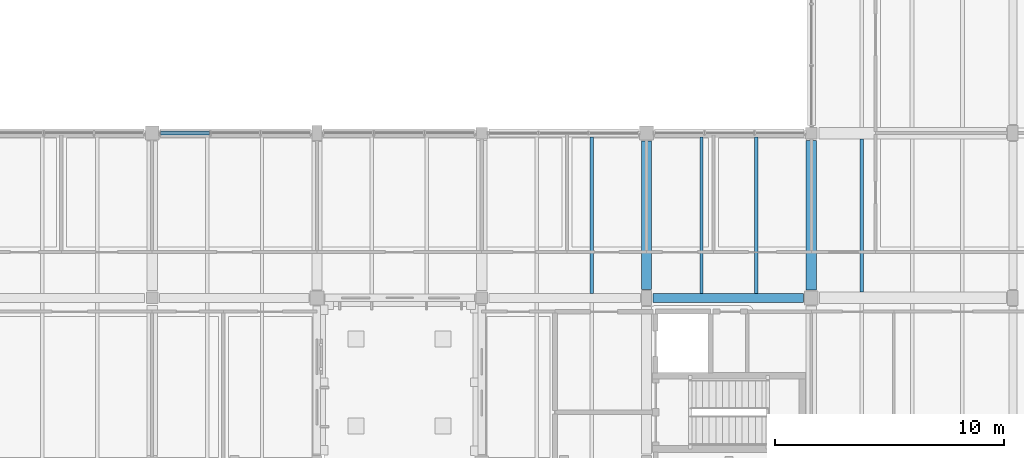
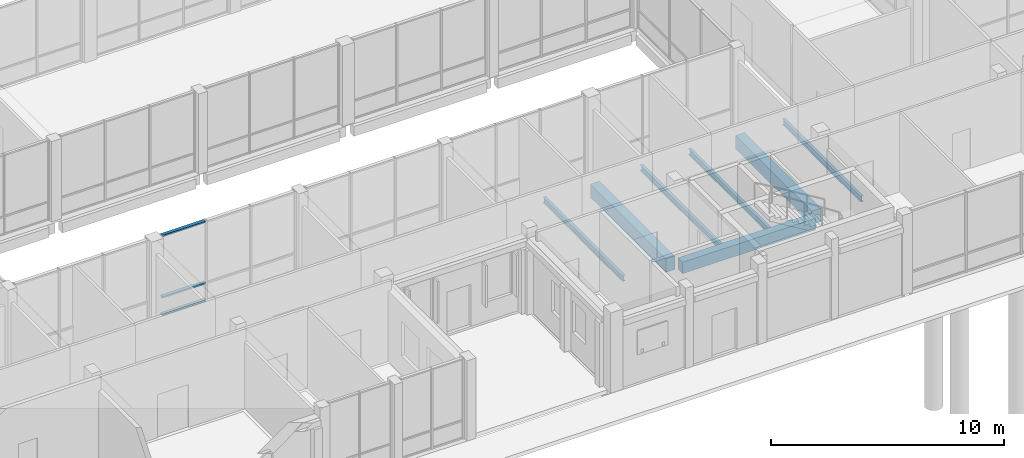
# One storey, part 21 of 104: 7 beams, 3 members, 1 element without a shape of its own.
"""IFC4 building model written with IfcOpenShell, lengths in metres."""

from ifc_helpers import new_model, si_unit, direction, frame, origin, origin_2d, place, context, subcontext, project, spatial, rectangle, hollow_rectangle, i_section, extrude, material, material_profile, profile_set, type_object, element, aggregate, save


model = new_model("IFC4")

# Units and contexts
model_context = context("Model", 3, precision=1e-05, world=origin(), true_north=direction((0.0, 1.0)))
body_context = subcontext(model_context, "Body", "Model", "MODEL_VIEW")
ifc_project = project(units=[si_unit("LENGTHUNIT", "METRE"), si_unit("AREAUNIT", "SQUARE_METRE"), si_unit("VOLUMEUNIT", "CUBIC_METRE"), si_unit("PLANEANGLEUNIT", "RADIAN"), si_unit("MASSUNIT", "GRAM", prefix="KILO")], contexts=[model_context])

# Site, building, storey
site_placement = place(None, origin())
site = spatial("IfcSite", under=ifc_project, at=site_placement, CompositionType="ELEMENT")
building_placement = place(site_placement, origin())
building = spatial("IfcBuilding", under=site, at=building_placement, Name="Hawrajan Terrace Health Centre", CompositionType="ELEMENT")
storey_placement = place(building_placement, origin())
storey = spatial("IfcBuildingStorey", under=building, at=storey_placement, Name="L00", CompositionType="ELEMENT", Elevation=0.0)

# Curtain wall, members
ifc_material_1 = material(Name="Anodized bronze aluminium and low-E solar glazing", Category="aluminium")
curtain_wall_type = type_object("IfcCurtainWallType", Name="CW_Hall_SeriesD2", PredefinedType="USERDEFINED", material=ifc_material_1)
curtain_wall_placement = place(storey_placement, origin())
curtain_wall = element("IfcCurtainWall", 1, at=curtain_wall_placement, inside=storey, type_object=curtain_wall_type, Name="Curtain wall CW-L00-011", ObjectType="UNITISED CURTAIN WALL", PredefinedType="USERDEFINED")
ifc_material_2 = material(Name="Anodized bronze aluminium 6063-T6", Category="aluminium")
ifc_material_profile_1 = material_profile(ifc_material_2, hollow_rectangle(XDim=0.074951171875, YDim=0.169921875, WallThickness=0.00439453125, at=origin_2d()), Name="CW TRN 75x170")
ifc_profile_set_1 = profile_set([ifc_material_profile_1], Name="Anodized bronze aluminium 6063-T6")
member_type = type_object("IfcMemberType", Name="CWTransom_75x170", PredefinedType="USERDEFINED", material=ifc_profile_set_1)
member_1_placement = place(storey_placement, frame((33.76904296875, 18.60009765625, 0.03759765625), z_axis=(1.0, 0.0, 0.0), x_axis=(0.0, 0.0, 1.0)))
member_1 = element("IfcMember", 2, at=member_1_placement, type_object=member_type, Name="Transom CW-L00-011-T1-1", ObjectType="TRANSOM", PredefinedType="USERDEFINED", context=body_context, shape_type="SweptSolid", body=[
    extrude(hollow_rectangle(XDim=0.074951171875, YDim=0.169921875, WallThickness=0.00439453125, at=origin_2d()), origin(), (0.0, 0.0, 1.0), 2.136962890625),
])
member_2_placement = place(storey_placement, frame((33.76904296875, 18.60009765625, 0.949951171875), z_axis=(1.0, 0.0, 0.0), x_axis=(0.0, 0.0, 1.0)))
member_2 = element("IfcMember", 3, at=member_2_placement, type_object=member_type, Name="Transom CW-L00-011-T1-2", ObjectType="TRANSOM", PredefinedType="USERDEFINED", context=body_context, shape_type="SweptSolid", body=[
    extrude(hollow_rectangle(XDim=0.074951171875, YDim=0.169921875, WallThickness=0.00439453125, at=origin_2d()), origin(), (0.0, 0.0, 1.0), 2.136962890625),
])
member_3_placement = place(storey_placement, frame((33.76904296875, 18.60009765625, 4.16259765625), z_axis=(1.0, 0.0, 0.0), x_axis=(0.0, 0.0, 1.0)))
member_3 = element("IfcMember", 4, at=member_3_placement, type_object=member_type, Name="Transom CW-L00-011-T1-3", ObjectType="TRANSOM", PredefinedType="USERDEFINED", context=body_context, shape_type="SweptSolid", body=[
    extrude(hollow_rectangle(XDim=0.074951171875, YDim=0.169921875, WallThickness=0.00439453125, at=origin_2d()), origin(), (0.0, 0.0, 1.0), 2.136962890625),
])
aggregate(curtain_wall, [member_1, member_2, member_3])

# Beams
ifc_material_3 = material(Name="Concrete C40/50", Category="concrete")
ifc_material_profile_2 = material_profile(ifc_material_3, rectangle(XDim=0.39990234375, YDim=0.60009765625, at=origin_2d()), Name="RC BM 400x600")
ifc_profile_set_2 = profile_set([ifc_material_profile_2], Name="Concrete C40/50")
beam_type_1 = type_object("IfcBeamType", Name="RCGirder_400x600", PredefinedType="BEAM", material=ifc_profile_set_2)
beam_1_placement = place(storey_placement, frame((55.27490234375, 11.39990234375, -0.60009765625), z_axis=(1.0, 0.0, 0.0), x_axis=(0.0, 1.0, 0.0)))
element("IfcBeam", 5, at=beam_1_placement, inside=storey, type_object=beam_type_1, Name="Beam BM-X-L00-W-08-Y2", PredefinedType="BEAM", context=body_context, shape_type="SweptSolid", body=[
    extrude(rectangle(XDim=0.39990234375, YDim=0.60009765625, at=origin_2d()), origin(), (0.0, 0.0, 1.0), 6.5751953125),
])
ifc_material_profile_3 = material_profile(ifc_material_3, rectangle(XDim=0.449951171875, YDim=0.699951171875, at=origin_2d()), Name="RC BM 450x700")
ifc_profile_set_3 = profile_set([ifc_material_profile_3], Name="Concrete C40/50")
beam_type_2 = type_object("IfcBeamType", Name="RCGirder_450x700", PredefinedType="BEAM", material=ifc_profile_set_3)
beam_2_placement = place(storey_placement, frame((55.0, 11.77490234375, -0.64990234375), z_axis=(0.0, 1.0, 0.0), x_axis=(-1.0, 0.0, 0.0)))
element("IfcBeam", 6, at=beam_2_placement, inside=storey, type_object=beam_type_2, Name="Beam BM-Y-L00-W-X08-2", PredefinedType="BEAM", context=body_context, shape_type="SweptSolid", body=[
    extrude(rectangle(XDim=0.449951171875, YDim=0.699951171875, at=origin_2d()), origin(), (0.0, 0.0, 1.0), 6.47509765625),
])
beam_3_placement = place(storey_placement, frame((62.199951171875, 11.75, -0.64990234375), z_axis=(0.0, 1.0, 0.0), x_axis=(-1.0, 0.0, 0.0)))
element("IfcBeam", 7, at=beam_3_placement, inside=storey, type_object=beam_type_2, Name="Beam BM-Y-L00-W-X09-2", PredefinedType="BEAM", context=body_context, shape_type="SweptSolid", body=[
    extrude(rectangle(XDim=0.449951171875, YDim=0.699951171875, at=origin_2d()), origin(), (0.0, 0.0, 1.0), 6.52490234375),
])
ifc_material_4 = material(Name="Steel S355", Category="steel")
ifc_material_profile_4 = material_profile(ifc_material_4, i_section(OverallWidth=0.14990234375, OverallDepth=0.300048828125, WebThickness=0.007080078125, FlangeThickness=0.0107421875, FilletRadius=0.014892578125, at=origin_2d()), Name="IPE 300")
ifc_profile_set_4 = profile_set([ifc_material_profile_4], Name="Steel S355")
beam_type_3 = type_object("IfcBeamType", Name="SteelBeam_IPE300", PredefinedType="JOIST", material=ifc_profile_set_4)
for number, where, z_axis, x_axis, name in (
    (8, (52.60009765625, 11.60009765625, -0.449951171875), (0.0, 1.0, 0.0), (-1.0, 0.0, 0.0), "Secondary joist JST-L00-W-07-2-2"),
    (9, (57.39990234375, 11.60009765625, -0.449951171875), (0.0, 1.0, 0.0), (-1.0, 0.0, 0.0), "Secondary joist JST-L00-W-08-2-1"),
    (10, (59.800048828125, 11.60009765625, -0.449951171875), (0.0, 1.0, 0.0), (-1.0, 0.0, 0.0), "Secondary joist JST-L00-W-08-2-2"),
):
    element("IfcBeam", number, at=place(storey_placement, frame(where, z_axis=z_axis, x_axis=x_axis)), inside=storey, type_object=beam_type_3, Name=name, PredefinedType="JOIST", context=body_context, shape_type="SweptSolid", body=[
        extrude(i_section(OverallWidth=0.14990234375, OverallDepth=0.300048828125, WebThickness=0.007080078125, FlangeThickness=0.0107421875, FilletRadius=0.014892578125, at=origin_2d()), origin(), (0.0, 0.0, 1.0), 6.824951171875),
    ])
beam_4_placement = place(storey_placement, frame((64.39990234375, 11.64990234375, -0.449951171875), z_axis=(0.0, 1.0, 0.0), x_axis=(-1.0, 0.0, 0.0)))
element("IfcBeam", 11, at=beam_4_placement, inside=storey, type_object=beam_type_3, Name="Secondary joist JST-L00-W-09-2-1", PredefinedType="JOIST", context=body_context, shape_type="SweptSolid", body=[
    extrude(i_section(OverallWidth=0.14990234375, OverallDepth=0.300048828125, WebThickness=0.007080078125, FlangeThickness=0.0107421875, FilletRadius=0.014892578125, at=origin_2d()), origin(), (0.0, 0.0, 1.0), 6.7001953125),
])

save(model, "model.ifc")
